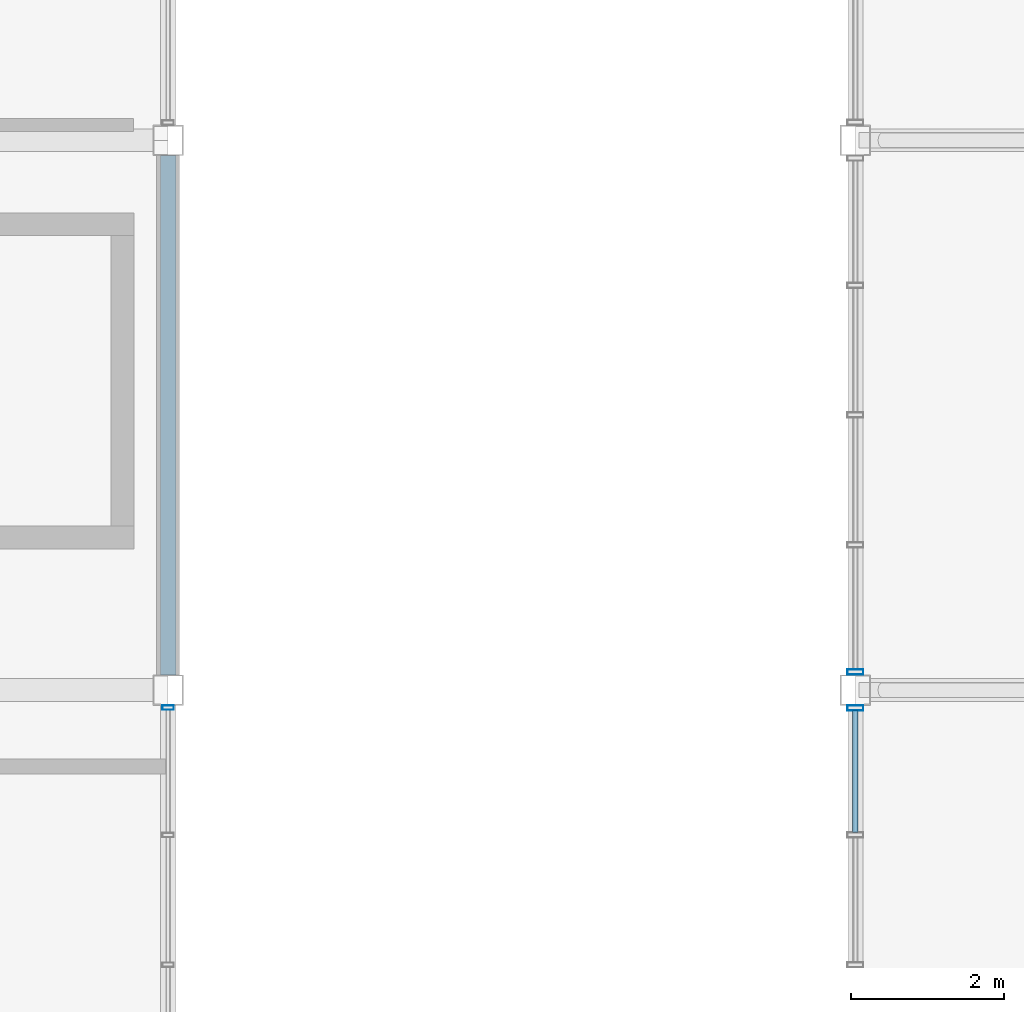
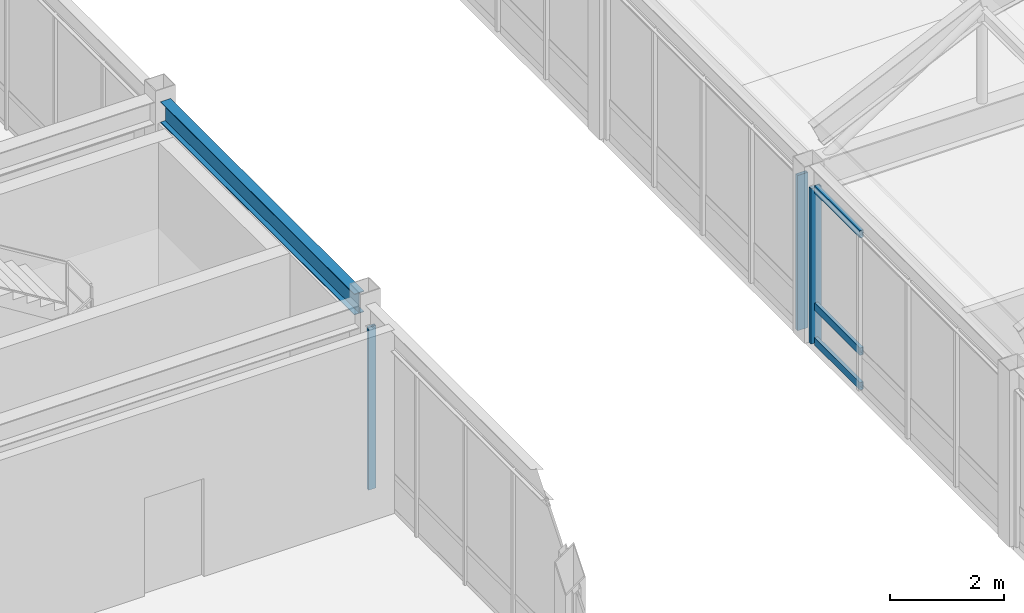
# One storey, part 25 of 106: 6 members, 1 beam, 3 elements without a shape of their own.
"""IFC4 building model written with IfcOpenShell, lengths in metres."""

from ifc_helpers import new_model, si_unit, direction, frame, origin, origin_2d, place, context, subcontext, project, spatial, hollow_rectangle, i_section, extrude, material, material_profile, profile_set, type_object, element, aggregate, save


model = new_model("IFC4")

# Units and contexts
model_context = context("Model", 3, precision=1e-05, world=origin(), true_north=direction((0.0, 1.0)))
body_context = subcontext(model_context, "Body", "Model", "MODEL_VIEW")
ifc_project = project(units=[si_unit("LENGTHUNIT", "METRE"), si_unit("AREAUNIT", "SQUARE_METRE"), si_unit("VOLUMEUNIT", "CUBIC_METRE"), si_unit("PLANEANGLEUNIT", "RADIAN"), si_unit("MASSUNIT", "GRAM", prefix="KILO")], contexts=[model_context])

# Site, building, storey
site_placement = place(None, origin())
site = spatial("IfcSite", under=ifc_project, at=site_placement, CompositionType="ELEMENT")
building_placement = place(site_placement, origin())
building = spatial("IfcBuilding", under=site, at=building_placement, Name="Kazanami Central Library", CompositionType="ELEMENT")
storey_placement = place(building_placement, frame((0.0, 0.0, 12.800048828125)))
storey = spatial("IfcBuildingStorey", under=building, at=storey_placement, Name="L04", CompositionType="ELEMENT", Elevation=12.800048828125)

# Beam
ifc_material_1 = material(Name="Steel SN490B (325 MPa)", Category="steel")
ifc_material_profile_1 = material_profile(ifc_material_1, i_section(OverallWidth=0.199951171875, OverallDepth=0.449951171875, WebThickness=0.009033203125, FlangeThickness=0.013916015625, at=origin_2d()), Name="H-450x200x9x14")
ifc_profile_set_1 = profile_set([ifc_material_profile_1], Name="Steel SN490B (325 MPa)")
beam_type = type_object("IfcBeamType", Name="BM-SP-2", PredefinedType="SPANDREL", material=ifc_profile_set_1)
beam_placement = place(storey_placement, frame((36.0, 79.39794921875, 3.71484375), z_axis=(0.0, 1.0, 0.0), x_axis=(-1.0, 0.0, 0.0)))
element("IfcBeam", 1, at=beam_placement, inside=storey, type_object=beam_type, Name="Girder SP-2 L04 5/M-N", PredefinedType="SPANDREL", context=body_context, shape_type="SweptSolid", body=[
    extrude(i_section(OverallWidth=0.199951171875, OverallDepth=0.449951171875, WebThickness=0.009033203125, FlangeThickness=0.013916015625, at=origin_2d()), origin(), (0.0, 0.0, 1.0), 6.803955078125),
])

# Curtain wall, member
ifc_material_2 = material(Name="Acid-Etched Low-E Laminated Glass", Category="glass")
curtain_wall_type_1 = type_object("IfcCurtainWallType", Name="CW-6800x3330-M180", PredefinedType="USERDEFINED", material=ifc_material_2)
curtain_wall_1_placement = place(storey_placement, origin())
curtain_wall_1 = element("IfcCurtainWall", 2, at=curtain_wall_1_placement, inside=storey, type_object=curtain_wall_type_1, Name="Covered Link Bridge Curtain Wall CW-44 L04 W-6-10", ObjectType="UNITISED CURTAIN WALL", PredefinedType="USERDEFINED")
ifc_material_3 = material(Name="Anodised Aluminium A6063-T5", Category="aluminium")
ifc_material_profile_2 = material_profile(ifc_material_3, hollow_rectangle(XDim=0.070068359375, YDim=0.2099609375, WallThickness=0.0048828125, at=origin_2d()), Name="ALU-MULL-70x210x5")
ifc_profile_set_2 = profile_set([ifc_material_profile_2], Name="Anodised Aluminium A6063-T5")
member_type_1 = type_object("IfcMemberType", Name="MEM-CW-M1", PredefinedType="MULLION", material=ifc_profile_set_2)
member_1_placement = place(storey_placement, frame((45.0, 78.965087890625, 0.0), z_axis=(0.0, 0.0, 1.0), x_axis=(0.0, 1.0, 0.0)))
member_1 = element("IfcMember", 3, at=member_1_placement, type_object=member_type_1, Name="CW-44 mullion 5", PredefinedType="MULLION", context=body_context, shape_type="SweptSolid", body=[
    extrude(hollow_rectangle(XDim=0.070068359375, YDim=0.2099609375, WallThickness=0.0048828125, at=origin_2d()), origin(), (0.0, 0.0, 1.0), 3.329833984375),
])

curtain_wall_2_placement = place(storey_placement, origin())
curtain_wall_2 = element("IfcCurtainWall", 4, at=curtain_wall_2_placement, inside=storey, type_object=curtain_wall_type_1, Name="Covered Link Bridge Curtain Wall CW-44 L04 W-6-11", ObjectType="UNITISED CURTAIN WALL", PredefinedType="USERDEFINED")
member_2_placement = place(storey_placement, frame((45.0, 79.43505859375, 0.0), z_axis=(0.0, 0.0, 1.0), x_axis=(0.0, 1.0, 0.0)))
member_2 = element("IfcMember", 5, at=member_2_placement, type_object=member_type_1, Name="CW-44 mullion 1", PredefinedType="MULLION", context=body_context, shape_type="SweptSolid", body=[
    extrude(hollow_rectangle(XDim=0.070068359375, YDim=0.2099609375, WallThickness=0.0048828125, at=origin_2d()), origin(), (0.0, 0.0, 1.0), 3.329833984375),
])
aggregate(curtain_wall_2, [member_2])

curtain_wall_type_2 = type_object("IfcCurtainWallType", Name="CW-6800x3490-M180", PredefinedType="USERDEFINED", material=ifc_material_2)
curtain_wall_3_placement = place(storey_placement, origin())
curtain_wall_3 = element("IfcCurtainWall", 6, at=curtain_wall_3_placement, inside=storey, type_object=curtain_wall_type_2, Name="Covered Link Bridge Curtain Wall CW-43 L04 E-5-10", ObjectType="UNITISED CURTAIN WALL", PredefinedType="USERDEFINED")
ifc_material_profile_3 = material_profile(ifc_material_3, hollow_rectangle(XDim=0.06005859375, YDim=0.14990234375, WallThickness=0.00390625, at=origin_2d()), Name="ALU-MULL-60x150x4")
ifc_profile_set_3 = profile_set([ifc_material_profile_3], Name="Anodised Aluminium A6063-T5")
member_type_2 = type_object("IfcMemberType", Name="MEM-CW-M3", PredefinedType="MULLION", material=ifc_profile_set_3)
member_3_placement = place(storey_placement, frame((36.0, 78.969970703125, 0.0), z_axis=(0.0, 0.0, 1.0), x_axis=(0.0, -1.0, 0.0)))
member_3 = element("IfcMember", 7, at=member_3_placement, type_object=member_type_2, Name="CW-43 mullion 1", PredefinedType="MULLION", context=body_context, shape_type="SweptSolid", body=[
    extrude(hollow_rectangle(XDim=0.06005859375, YDim=0.14990234375, WallThickness=0.00390625, at=origin_2d()), origin(), (0.0, 0.0, 1.0), 3.489990234375),
])
aggregate(curtain_wall_3, [member_3])

# Member
ifc_material_profile_4 = material_profile(ifc_material_3, hollow_rectangle(XDim=0.070068359375, YDim=0.159912109375, WallThickness=0.00390625, at=origin_2d()), Name="ALU-TRAN-70x160x4")
ifc_profile_set_4 = profile_set([ifc_material_profile_4], Name="Anodised Aluminium A6063-T5")
member_type_3 = type_object("IfcMemberType", Name="MEM-CW-T1", PredefinedType="USERDEFINED", material=ifc_profile_set_4)
member_4_placement = place(storey_placement, frame((45.0, 77.3349609375, 0.034912109375), z_axis=(0.0, 1.0, 0.0), x_axis=(-1.0, 0.0, 0.0)))
member_4 = element("IfcMember", 8, at=member_4_placement, type_object=member_type_3, Name="CW-44 transom 4.1", ObjectType="TRANSOM", PredefinedType="USERDEFINED", context=body_context, shape_type="SweptSolid", body=[
    extrude(hollow_rectangle(XDim=0.070068359375, YDim=0.159912109375, WallThickness=0.00390625, at=origin_2d()), origin(), (0.0, 0.0, 1.0), 1.594970703125),
])

member_5_placement = place(storey_placement, frame((45.0, 77.3349609375, 0.780029296875), z_axis=(0.0, 1.0, 0.0), x_axis=(-1.0, 0.0, 0.0)))
member_5 = element("IfcMember", 9, at=member_5_placement, type_object=member_type_3, Name="CW-44 transom 4.2", ObjectType="TRANSOM", PredefinedType="USERDEFINED", context=body_context, shape_type="SweptSolid", body=[
    extrude(hollow_rectangle(XDim=0.070068359375, YDim=0.159912109375, WallThickness=0.00390625, at=origin_2d()), origin(), (0.0, 0.0, 1.0), 1.594970703125),
])

member_6_placement = place(storey_placement, frame((45.0, 77.3349609375, 3.294921875), z_axis=(0.0, 1.0, 0.0), x_axis=(-1.0, 0.0, 0.0)))
member_6 = element("IfcMember", 10, at=member_6_placement, type_object=member_type_3, Name="CW-44 transom 4.3", ObjectType="TRANSOM", PredefinedType="USERDEFINED", context=body_context, shape_type="SweptSolid", body=[
    extrude(hollow_rectangle(XDim=0.070068359375, YDim=0.159912109375, WallThickness=0.00390625, at=origin_2d()), origin(), (0.0, 0.0, 1.0), 1.594970703125),
])

aggregate(curtain_wall_1, [member_1, member_4, member_5, member_6])

save(model, "model.ifc")
